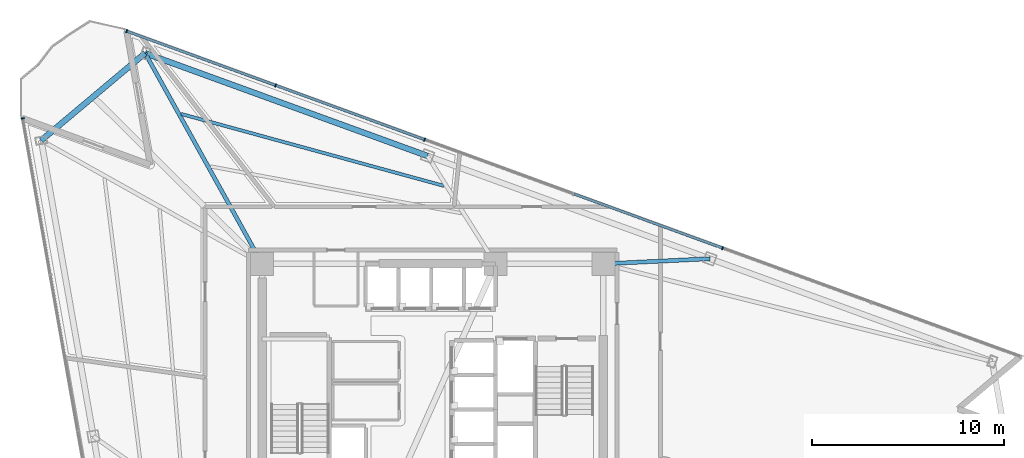
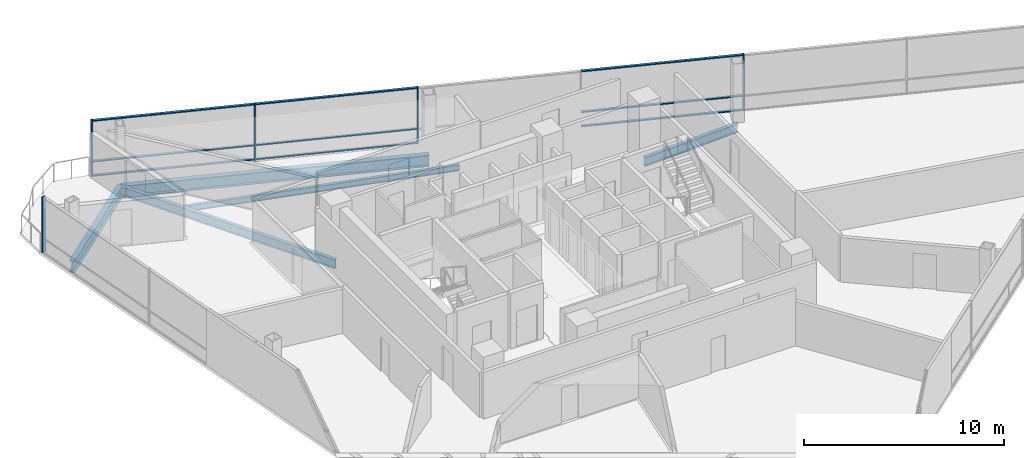
# One storey, part 7 of 16: 14 members, 5 beams, 2 elements without a shape of their own.
"""IFC4 building model written with IfcOpenShell, lengths in metres."""

from ifc_helpers import new_model, si_unit, direction, frame, origin, origin_2d, place, context, subcontext, project, spatial, rectangle, i_section, extrude, material, layer, layer_set, material_profile, profile_set, type_object, element, aggregate, save


model = new_model("IFC4")

# Units and contexts
model_context = context("Model", 3, precision=1e-05, world=origin(), true_north=direction((0.0, 1.0)))
body_context = subcontext(model_context, "Body", "Model", "MODEL_VIEW")
ifc_project = project(units=[si_unit("LENGTHUNIT", "METRE"), si_unit("AREAUNIT", "SQUARE_METRE"), si_unit("VOLUMEUNIT", "CUBIC_METRE"), si_unit("PLANEANGLEUNIT", "RADIAN"), si_unit("MASSUNIT", "GRAM", prefix="KILO")], contexts=[model_context])

# Site, building, storey
site_placement = place(None, origin())
site = spatial("IfcSite", under=ifc_project, at=site_placement, CompositionType="ELEMENT")
building_placement = place(site_placement, origin())
building = spatial("IfcBuilding", under=site, at=building_placement, Name="Tharavind Bronze Gate", CompositionType="ELEMENT")
storey_placement = place(building_placement, frame((0.0, 0.0, 170.5)))
storey = spatial("IfcBuildingStorey", under=building, at=storey_placement, Name="L43", CompositionType="ELEMENT", Elevation=170.5)

# Curtain wall, member
ifc_material_1 = material(Name="Anodised Bronze Aluminium", Category="aluminium")
ifc_layer = layer(ifc_material_1, 0.219970703125)
ifc_layer_set = layer_set([ifc_layer], Name="Anodised Bronze Aluminium")
curtain_wall_type = type_object("IfcCurtainWallType", Name="UNITISED CURTAIN WALL MID OFFICE", PredefinedType="USERDEFINED", material=ifc_layer_set)
curtain_wall_1_placement = place(storey_placement, origin())
curtain_wall_1 = element("IfcCurtainWall", 1, at=curtain_wall_1_placement, inside=storey, type_object=curtain_wall_type, Name="L43 unitised curtain wall mid office CW-L43-S1", ObjectType="UNITISED CURTAIN WALL", PredefinedType="USERDEFINED")
member_type_1 = type_object("IfcMemberType", Name="CURTAIN WALL BRONZE MULLION 65X180", PredefinedType="MULLION", material=ifc_material_1)
member_1_placement = place(storey_placement, frame((-21.396728515625, 15.1923828125, 0.0), z_axis=(0.0, 0.0, 1.0), x_axis=(0.173648177667, -0.984807753012, 0.0)))
member_1 = element("IfcMember", 2, at=member_1_placement, type_object=member_type_1, Name="CW-L43-S1 mullion 1", PredefinedType="MULLION", context=body_context, shape_type="SweptSolid", body=[
    extrude(rectangle(XDim=0.06494140625, YDim=0.179931640625, at=origin_2d()), origin(), (0.0, 0.0, 1.0), 3.419921875),
])
aggregate(curtain_wall_1, [member_1])

# Curtain wall, members
curtain_wall_2_placement = place(storey_placement, origin())
curtain_wall_2 = element("IfcCurtainWall", 3, at=curtain_wall_2_placement, inside=storey, type_object=curtain_wall_type, Name="L43 unitised curtain wall mid office CW-L43-S3", ObjectType="UNITISED CURTAIN WALL", PredefinedType="USERDEFINED")
member_2_placement = place(storey_placement, frame((15.12451171875, 8.424560546875, 0.0), z_axis=(0.0, 0.0, 1.0), x_axis=(-0.939692023847, 0.342021783398, 0.0)))
member_2 = element("IfcMember", 4, at=member_2_placement, type_object=member_type_1, Name="CW-L43-S3 mullion 3", PredefinedType="MULLION", context=body_context, shape_type="SweptSolid", body=[
    extrude(rectangle(XDim=0.06494140625, YDim=0.179931640625, at=origin_2d()), origin(), (0.0, 0.0, 1.0), 3.419921875),
])
member_3_placement = place(storey_placement, frame((-0.42431640625, 14.083984375, 0.0), z_axis=(0.0, 0.0, 1.0), x_axis=(-0.939692023847, 0.342021783398, 0.0)))
member_3 = element("IfcMember", 5, at=member_3_placement, type_object=member_type_1, Name="CW-L43-S3 mullion 5", PredefinedType="MULLION", context=body_context, shape_type="SweptSolid", body=[
    extrude(rectangle(XDim=0.06494140625, YDim=0.179931640625, at=origin_2d()), origin(), (0.0, 0.0, 1.0), 3.419921875),
])
member_4_placement = place(storey_placement, frame((-8.19873046875, 16.91357421875, 0.0), z_axis=(0.0, 0.0, 1.0), x_axis=(-0.939692023847, 0.342021783398, 0.0)))
member_4 = element("IfcMember", 6, at=member_4_placement, type_object=member_type_1, Name="CW-L43-S3 mullion 6", PredefinedType="MULLION", context=body_context, shape_type="SweptSolid", body=[
    extrude(rectangle(XDim=0.06494140625, YDim=0.179931640625, at=origin_2d()), origin(), (0.0, 0.0, 1.0), 3.419921875),
])
member_5_placement = place(storey_placement, frame((-15.97314453125, 19.743408203125, 0.0), z_axis=(0.0, 0.0, 1.0), x_axis=(-0.939692023847, 0.342021783398, 0.0)))
member_5 = element("IfcMember", 7, at=member_5_placement, type_object=member_type_1, Name="CW-L43-S3 mullion 7", PredefinedType="MULLION", context=body_context, shape_type="SweptSolid", body=[
    extrude(rectangle(XDim=0.06494140625, YDim=0.179931640625, at=origin_2d()), origin(), (0.0, 0.0, 1.0), 3.419921875),
])
member_type_2 = type_object("IfcMemberType", Name="CURTAIN WALL BRONZE TRANSOM 65X140", PredefinedType="USERDEFINED", material=ifc_material_1)
member_6_placement = place(storey_placement, frame((11.2373046875, 9.839599609375, 0.0), z_axis=(0.0, 0.0, 1.0), x_axis=(-0.939692023847, 0.342021783398, 0.0)))
member_6 = element("IfcMember", 8, at=member_6_placement, type_object=member_type_2, Name="CW-L43-S3 transom TB3", ObjectType="TRANSOM", PredefinedType="USERDEFINED", context=body_context, shape_type="SweptSolid", body=[
    extrude(rectangle(XDim=8.220458984375, YDim=0.139892578125, at=origin_2d()), origin(), (0.0, 0.0, 1.0), 0.06494140625),
])
member_7_placement = place(storey_placement, frame((11.2373046875, 9.839599609375, 0.867431640625), z_axis=(0.0, 0.0, 1.0), x_axis=(-0.939692023847, 0.342021783398, 0.0)))
member_7 = element("IfcMember", 9, at=member_7_placement, type_object=member_type_2, Name="CW-L43-S3 transom TS3", ObjectType="TRANSOM", PredefinedType="USERDEFINED", context=body_context, shape_type="SweptSolid", body=[
    extrude(rectangle(XDim=8.220458984375, YDim=0.139892578125, at=origin_2d()), origin(), (0.0, 0.0, 1.0), 0.06494140625),
])
member_8_placement = place(storey_placement, frame((11.2373046875, 9.839599609375, 3.35498046875), z_axis=(0.0, 0.0, 1.0), x_axis=(-0.939692023847, 0.342021783398, 0.0)))
member_8 = element("IfcMember", 10, at=member_8_placement, type_object=member_type_2, Name="CW-L43-S3 transom TT3", ObjectType="TRANSOM", PredefinedType="USERDEFINED", context=body_context, shape_type="SweptSolid", body=[
    extrude(rectangle(XDim=8.220458984375, YDim=0.139892578125, at=origin_2d()), origin(), (0.0, 0.0, 1.0), 0.06494140625),
])
member_9_placement = place(storey_placement, frame((-4.3115234375, 15.498779296875, 0.0), z_axis=(0.0, 0.0, 1.0), x_axis=(-0.939692023847, 0.342021783398, 0.0)))
member_9 = element("IfcMember", 11, at=member_9_placement, type_object=member_type_2, Name="CW-L43-S3 transom TB5", ObjectType="TRANSOM", PredefinedType="USERDEFINED", context=body_context, shape_type="SweptSolid", body=[
    extrude(rectangle(XDim=8.220458984375, YDim=0.139892578125, at=origin_2d()), origin(), (0.0, 0.0, 1.0), 0.06494140625),
])
member_10_placement = place(storey_placement, frame((-4.3115234375, 15.498779296875, 0.867431640625), z_axis=(0.0, 0.0, 1.0), x_axis=(-0.939692023847, 0.342021783398, 0.0)))
member_10 = element("IfcMember", 12, at=member_10_placement, type_object=member_type_2, Name="CW-L43-S3 transom TS5", ObjectType="TRANSOM", PredefinedType="USERDEFINED", context=body_context, shape_type="SweptSolid", body=[
    extrude(rectangle(XDim=8.220458984375, YDim=0.139892578125, at=origin_2d()), origin(), (0.0, 0.0, 1.0), 0.06494140625),
])
member_11_placement = place(storey_placement, frame((-4.3115234375, 15.498779296875, 3.35498046875), z_axis=(0.0, 0.0, 1.0), x_axis=(-0.939692023847, 0.342021783398, 0.0)))
member_11 = element("IfcMember", 13, at=member_11_placement, type_object=member_type_2, Name="CW-L43-S3 transom TT5", ObjectType="TRANSOM", PredefinedType="USERDEFINED", context=body_context, shape_type="SweptSolid", body=[
    extrude(rectangle(XDim=8.220458984375, YDim=0.139892578125, at=origin_2d()), origin(), (0.0, 0.0, 1.0), 0.06494140625),
])
member_12_placement = place(storey_placement, frame((-12.0859375, 18.32861328125, 0.0), z_axis=(0.0, 0.0, 1.0), x_axis=(-0.939692023847, 0.342021783398, 0.0)))
member_12 = element("IfcMember", 14, at=member_12_placement, type_object=member_type_2, Name="CW-L43-S3 transom TB6", ObjectType="TRANSOM", PredefinedType="USERDEFINED", context=body_context, shape_type="SweptSolid", body=[
    extrude(rectangle(XDim=8.220458984375, YDim=0.139892578125, at=origin_2d()), origin(), (0.0, 0.0, 1.0), 0.06494140625),
])
member_13_placement = place(storey_placement, frame((-12.0859375, 18.32861328125, 0.867431640625), z_axis=(0.0, 0.0, 1.0), x_axis=(-0.939692023847, 0.342021783398, 0.0)))
member_13 = element("IfcMember", 15, at=member_13_placement, type_object=member_type_2, Name="CW-L43-S3 transom TS6", ObjectType="TRANSOM", PredefinedType="USERDEFINED", context=body_context, shape_type="SweptSolid", body=[
    extrude(rectangle(XDim=8.220458984375, YDim=0.139892578125, at=origin_2d()), origin(), (0.0, 0.0, 1.0), 0.06494140625),
])
member_14_placement = place(storey_placement, frame((-12.0859375, 18.32861328125, 3.35498046875), z_axis=(0.0, 0.0, 1.0), x_axis=(-0.939692023847, 0.342021783398, 0.0)))
member_14 = element("IfcMember", 16, at=member_14_placement, type_object=member_type_2, Name="CW-L43-S3 transom TT6", ObjectType="TRANSOM", PredefinedType="USERDEFINED", context=body_context, shape_type="SweptSolid", body=[
    extrude(rectangle(XDim=8.220458984375, YDim=0.139892578125, at=origin_2d()), origin(), (0.0, 0.0, 1.0), 0.06494140625),
])
aggregate(curtain_wall_2, [member_2, member_3, member_4, member_5, member_6, member_7, member_8, member_9, member_10, member_11, member_12, member_13, member_14])

# Beams
ifc_material_2 = material(Name="Steel S355", Category="steel")
ifc_material_profile_1 = material_profile(ifc_material_2, i_section(OverallWidth=0.2099609375, OverallDepth=0.550048828125, WebThickness=0.010986328125, FlangeThickness=0.01708984375, at=origin_2d()), Name="IPE550")
ifc_profile_set_1 = profile_set([ifc_material_profile_1], Name="Steel S355")
beam_type_1 = type_object("IfcBeamType", Name="PRIMARY GIRDER IPE550", PredefinedType="USERDEFINED", material=ifc_profile_set_1)
beam_1_placement = place(storey_placement, frame((14.461181640625, 7.867919921875, -0.455078125), z_axis=(-0.998842397835, -0.048102643243, 0.0), x_axis=(0.048102643243, -0.998842397835, 0.0)))
element("IfcBeam", 17, at=beam_1_placement, inside=storey, type_object=beam_type_1, Name="L43 primary girder ipe550 BM-L43-RAD10", ObjectType="GIRDER", PredefinedType="USERDEFINED", context=body_context, shape_type="SweptSolid", body=[
    extrude(i_section(OverallWidth=0.2099609375, OverallDepth=0.550048828125, WebThickness=0.010986328125, FlangeThickness=0.01708984375, at=origin_2d()), origin(), (0.0, 0.0, 1.0), 5.567626953125),
])
beam_2_placement = place(storey_placement, frame((-15.0087890625, 18.59423828125, -0.455078125), z_axis=(0.485705558329, -0.874122480324, 0.0), x_axis=(0.874122480324, 0.485705558329, 0.0)))
element("IfcBeam", 18, at=beam_2_placement, inside=storey, type_object=beam_type_1, Name="L43 primary girder ipe550 BM-L43-RAD12", ObjectType="GIRDER", PredefinedType="USERDEFINED", context=body_context, shape_type="SweptSolid", body=[
    extrude(i_section(OverallWidth=0.2099609375, OverallDepth=0.550048828125, WebThickness=0.010986328125, FlangeThickness=0.01708984375, at=origin_2d()), origin(), (0.0, 0.0, 1.0), 12.577392578125),
])
ifc_material_profile_2 = material_profile(ifc_material_2, i_section(OverallWidth=0.300048828125, OverallDepth=0.699951171875, WebThickness=0.01708984375, FlangeThickness=0.031982421875, at=origin_2d()), Name="HE700B")
ifc_profile_set_2 = profile_set([ifc_material_profile_2], Name="Steel S355")
beam_type_2 = type_object("IfcBeamType", Name="RING GIRDER HE700B", PredefinedType="USERDEFINED", material=ifc_profile_set_2)
beam_3_placement = place(storey_placement, frame((-0.27392578125, 13.231201171875, -0.530029296875), z_axis=(-0.939692918618, 0.342019325037, 0.0), x_axis=(-0.342019325037, -0.939692918618, 0.0)))
element("IfcBeam", 19, at=beam_3_placement, inside=storey, type_object=beam_type_2, Name="L43 ring girder he700b BM-L43-PRG11", ObjectType="GIRDER", PredefinedType="USERDEFINED", context=body_context, shape_type="SweptSolid", body=[
    extrude(i_section(OverallWidth=0.300048828125, OverallDepth=0.699951171875, WebThickness=0.01708984375, FlangeThickness=0.031982421875, at=origin_2d()), origin(), (0.0, 0.0, 1.0), 15.680419921875),
])
beam_4_placement = place(storey_placement, frame((-15.0087890625, 18.59423828125, -0.530029296875), z_axis=(-0.766051869817, -0.642778758789, 0.0), x_axis=(0.642778758789, -0.766051869817, 0.0)))
element("IfcBeam", 20, at=beam_4_placement, inside=storey, type_object=beam_type_2, Name="L43 ring girder he700b BM-L43-PRG12", ObjectType="GIRDER", PredefinedType="USERDEFINED", context=body_context, shape_type="SweptSolid", body=[
    extrude(i_section(OverallWidth=0.300048828125, OverallDepth=0.699951171875, WebThickness=0.01708984375, FlangeThickness=0.031982421875, at=origin_2d()), origin(), (0.0, 0.0, 1.0), 7.080322265625),
])
ifc_material_profile_3 = material_profile(ifc_material_2, i_section(OverallWidth=0.169921875, OverallDepth=0.360107421875, WebThickness=0.008056640625, FlangeThickness=0.0126953125, at=origin_2d()), Name="IPE360")
ifc_profile_set_3 = profile_set([ifc_material_profile_3], Name="Steel S355")
beam_type_3 = type_object("IfcBeamType", Name="SECONDARY FLOOR JOIST IPE360", PredefinedType="JOIST", material=ifc_profile_set_3)
beam_5_placement = place(storey_placement, frame((0.5849609375, 11.66845703125, -0.360107421875), z_axis=(-0.964511642121, 0.264040323081, 0.0), x_axis=(-0.264040323081, -0.964511642121, 0.0)))
element("IfcBeam", 21, at=beam_5_placement, inside=storey, type_object=beam_type_3, Name="L43 secondary floor joist ipe360 BM-L43-JSTB11", PredefinedType="JOIST", context=body_context, shape_type="SweptSolid", body=[
    extrude(i_section(OverallWidth=0.169921875, OverallDepth=0.360107421875, WebThickness=0.008056640625, FlangeThickness=0.0126953125, at=origin_2d()), origin(), (0.0, 0.0, 1.0), 14.211669921875),
])

save(model, "model.ifc")
